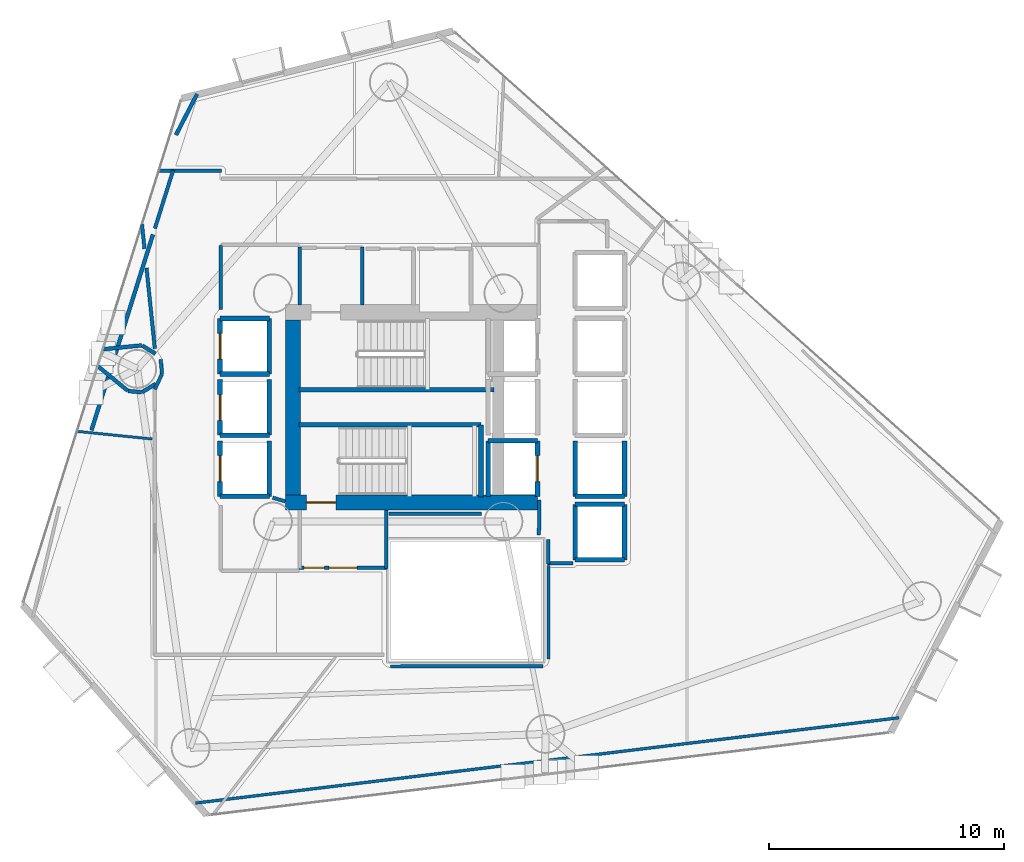
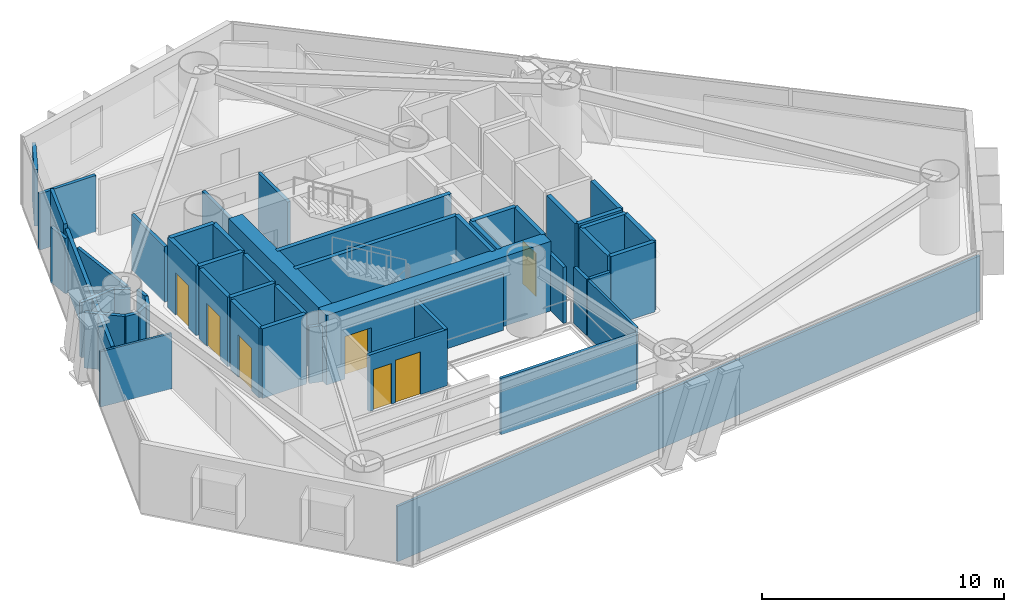
# One storey, part 18 of 24: 52 walls, 7 doors, 7 openings.
"""IFC4 building model written with IfcOpenShell, lengths in metres."""

from ifc_helpers import new_model, si_unit, direction, frame, frame_2d, origin, place, context, subcontext, project, spatial, rectangle, extrude, material, layer, layer_set, type_object, element, fill, save


model = new_model("IFC4")

# Units and contexts
model_context = context("Model", 3, precision=1e-05, world=origin(), true_north=direction((0.0, 1.0)))
body_context = subcontext(model_context, "Body", "Model", "MODEL_VIEW")
ifc_project = project(units=[si_unit("LENGTHUNIT", "METRE"), si_unit("AREAUNIT", "SQUARE_METRE"), si_unit("VOLUMEUNIT", "CUBIC_METRE"), si_unit("PLANEANGLEUNIT", "RADIAN"), si_unit("MASSUNIT", "GRAM", prefix="KILO")], contexts=[model_context])

# Site, building, storey
site_placement = place(None, origin())
site = spatial("IfcSite", under=ifc_project, at=site_placement, CompositionType="ELEMENT")
building_placement = place(site_placement, origin())
building = spatial("IfcBuilding", under=site, at=building_placement, Name="Qianvela Tower", CompositionType="ELEMENT")
storey_placement = place(building_placement, frame((0.0, 0.0, 71.0)))
storey = spatial("IfcBuildingStorey", under=building, at=storey_placement, Name="L17", CompositionType="ELEMENT", Elevation=71.0)

# Wall, opening, door
ifc_material_1 = material(Name="Concrete C60", Category="concrete")
ifc_layer_1 = layer(ifc_material_1, 0.64990234375)
ifc_layer_set_1 = layer_set([ifc_layer_1], Name="Concrete C60")
wall_type_1 = type_object("IfcWallType", Name="WT-CORE-650", PredefinedType="SHEAR", material=ifc_layer_set_1)
wall_1_placement = place(storey_placement, frame((29.1298828125, 24.655029296875, 0.0), z_axis=(0.0, 0.0, 1.0), x_axis=(1.0, 0.0, 0.0)))
wall_1 = element("IfcWall", 1, at=wall_1_placement, inside=storey, type_object=wall_type_1, Name="L17 South Core Shear Wall", PredefinedType="SHEAR", context=body_context, shape_type="SweptSolid", body=[
    extrude(rectangle(XDim=10.72021484375, YDim=0.64990234375, at=frame_2d((5.360107421875, 0.0))), origin(), (0.0, 0.0, 1.0), 3.52001953125),
])
opening_1_placement = place(wall_1_placement, frame((0.89501953125, 0.0, 0.0)))
opening_1 = element("IfcOpeningElement", 2, at=opening_1_placement, cuts=wall_1, Name="Opening D-ST1", PredefinedType="OPENING", context=body_context, shape_type="SweptSolid", body=[
    extrude(rectangle(XDim=1.25, YDim=2.14990234375, at=frame_2d((0.625, 1.074951171875))), frame((0.0, 0.3349609375, 0.0), z_axis=(0.0, -1.0, 0.0), x_axis=(1.0, 0.0, 0.0)), (0.0, 0.0, 1.0), 0.669921875),
])
ifc_material_2 = material(Name="Galvanised Fire Steel Q355B", Category="steel")
door_type_1 = type_object("IfcDoorType", Name="DT-STAIR-FD90", OperationType="NOTDEFINED", PredefinedType="DOOR", material=ifc_material_2)
door_1_placement = place(opening_1_placement, origin())
door_1 = element("IfcDoor", 3, at=door_1_placement, inside=storey, type_object=door_type_1, Name="L17 Stair ST-2 Exit Door", OperationType="SINGLE_SWING_LEFT", OverallHeight=2.14990234375, OverallWidth=1.25, PredefinedType="DOOR", context=body_context, shape_type="SweptSolid", body=[
    extrude(rectangle(XDim=1.25, YDim=2.14990234375, at=frame_2d((0.625, 1.074951171875))), frame((0.0, 0.02490234375, 0.0), z_axis=(0.0, -1.0, 0.0), x_axis=(1.0, 0.0, 0.0)), (0.0, 0.0, 1.0), 0.050048828125),
])
fill(opening_1, door_1)

# Walls
wall_2_placement = place(storey_placement, frame((29.455078125, 24.97998046875, 0.0), z_axis=(0.0, 0.0, 1.0), x_axis=(0.0, 1.0, 0.0)))
element("IfcWall", 4, at=wall_2_placement, inside=storey, type_object=wall_type_1, Name="L17 West Core Shear Wall", PredefinedType="SHEAR", context=body_context, shape_type="SweptSolid", body=[
    extrude(rectangle(XDim=7.43994140625, YDim=0.64990234375, at=frame_2d((3.719970703125, 0.0))), origin(), (0.0, 0.0, 1.0), 3.52001953125),
])
ifc_material_3 = material(Name="Fire-Rated Acoustic Gypsum Board")
ifc_layer_2 = layer(ifc_material_3, 0.14990234375)
ifc_layer_set_2 = layer_set([ifc_layer_2], Name="Fire-Rated Acoustic Gypsum Board")
wall_type_2 = type_object("IfcWallType", Name="WT-CORR-150", PredefinedType="PARTITIONING", material=ifc_layer_set_2)
for number, where, z_axis, x_axis, name in (
    (5, (29.73095703125, 33.05810546875, 0.0), (0.0, 0.0, 1.0), (0.0, 1.0, 0.0), "L17 Partition 2"),
    (6, (32.388916015625, 35.52001953125, 0.0), (0.0, 0.0, 1.0), (0.0, -1.0, 0.0), "L17 Partition 4"),
):
    element("IfcWall", number, at=place(storey_placement, frame(where, z_axis=z_axis, x_axis=x_axis)), inside=storey, type_object=wall_type_2, Name=name, PredefinedType="PARTITIONING", context=body_context, shape_type="SweptSolid", body=[
        extrude(rectangle(XDim=2.4619140625, YDim=0.14990234375, at=frame_2d((1.23095703125, 0.0))), origin(), (0.0, 0.0, 1.0), 2.840087890625),
    ])

# Wall, openings, doors
wall_3_placement = place(storey_placement, frame((33.449951171875, 21.881103515625, 0.0), z_axis=(0.0, 0.0, 1.0), x_axis=(-1.0, 0.0, 0.0)))
wall_3 = element("IfcWall", 7, at=wall_3_placement, inside=storey, type_object=wall_type_2, Name="L17 Partition 5", PredefinedType="PARTITIONING", context=body_context, shape_type="SweptSolid", body=[
    extrude(rectangle(XDim=3.75, YDim=0.14990234375, at=frame_2d((1.875, 0.0))), origin(), (0.0, 0.0, 1.0), 2.840087890625),
])
opening_2_placement = place(wall_3_placement, frame((1.27490234375, 0.0, 0.0)))
opening_2 = element("IfcOpeningElement", 8, at=opening_2_placement, cuts=wall_3, Name="Opening D-LB1", PredefinedType="OPENING", context=body_context, shape_type="SweptSolid", body=[
    extrude(rectangle(XDim=1.199951171875, YDim=2.14990234375, at=frame_2d((0.60009765625, 1.074951171875))), frame((0.0, 0.0849609375, 0.0), z_axis=(0.0, -1.0, 0.0), x_axis=(1.0, 0.0, 0.0)), (0.0, 0.0, 1.0), 0.169921875),
])
opening_3_placement = place(wall_3_placement, frame((2.659912109375, 0.0, 0.0)))
opening_3 = element("IfcOpeningElement", 9, at=opening_3_placement, cuts=wall_3, Name="Opening D-LB2", PredefinedType="OPENING", context=body_context, shape_type="SweptSolid", body=[
    extrude(rectangle(XDim=0.860107421875, YDim=2.050048828125, at=frame_2d((0.43017578125, 1.02490234375))), frame((0.0, 0.0849609375, 0.0), z_axis=(0.0, -1.0, 0.0), x_axis=(1.0, 0.0, 0.0)), (0.0, 0.0, 1.0), 0.169921875),
])
ifc_material_4 = material(Name="Glazed Fire-Rated Steel Frame", Category="steel")
door_type_2 = type_object("IfcDoorType", Name="DT-LOBBY-FD90", OperationType="NOTDEFINED", PredefinedType="DOOR", material=ifc_material_4)
door_2_placement = place(opening_2_placement, origin())
door_2 = element("IfcDoor", 10, at=door_2_placement, inside=storey, type_object=door_type_2, Name="L17 Door L17 Firefighting Lobby South to L17 Floor Corridor", OperationType="SINGLE_SWING_RIGHT", OverallHeight=2.14990234375, OverallWidth=1.199951171875, PredefinedType="DOOR", context=body_context, shape_type="SweptSolid", body=[
    extrude(rectangle(XDim=1.199951171875, YDim=2.14990234375, at=frame_2d((0.60009765625, 1.074951171875))), frame((0.0, 0.02490234375, 0.0), z_axis=(0.0, -1.0, 0.0), x_axis=(1.0, 0.0, 0.0)), (0.0, 0.0, 1.0), 0.050048828125),
])
fill(opening_2, door_2)
ifc_material_5 = material(Name="Insulated Steel Fire Door Q355B", Category="steel")
door_type_3 = type_object("IfcDoorType", Name="DT-LOBBY-FD90-860", OperationType="NOTDEFINED", PredefinedType="DOOR", material=ifc_material_5)
door_3_placement = place(opening_3_placement, origin())
door_3 = element("IfcDoor", 11, at=door_3_placement, inside=storey, type_object=door_type_3, Name="L17 Door L17 Firefighting Lobby South to L17 Floor Corridor", OperationType="SINGLE_SWING_RIGHT", OverallHeight=2.050048828125, OverallWidth=0.860107421875, PredefinedType="DOOR", context=body_context, shape_type="SweptSolid", body=[
    extrude(rectangle(XDim=0.860107421875, YDim=2.050048828125, at=frame_2d((0.43017578125, 1.02490234375))), frame((0.0, 0.02490234375, 0.0), z_axis=(0.0, -1.0, 0.0), x_axis=(1.0, 0.0, 0.0)), (0.0, 0.0, 1.0), 0.050048828125),
])
fill(opening_3, door_3)

# Walls
wall_4_placement = place(storey_placement, frame((33.4189453125, 24.342041015625, 0.0), z_axis=(0.0, 0.0, 1.0), x_axis=(0.0, -1.0, 0.0)))
element("IfcWall", 12, at=wall_4_placement, inside=storey, type_object=wall_type_2, Name="L17 Partition 8", PredefinedType="PARTITIONING", context=body_context, shape_type="SweptSolid", body=[
    extrude(rectangle(XDim=2.491943359375, YDim=0.14990234375, at=frame_2d((1.24609375, 0.0))), origin(), (0.0, 0.0, 1.0), 2.840087890625),
])
wall_5_placement = place(storey_placement, frame((41.360107421875, 22.0810546875, 0.0), z_axis=(0.0, 0.0, 1.0), x_axis=(-1.0, 0.0, 0.0)))
element("IfcWall", 13, at=wall_5_placement, inside=storey, type_object=wall_type_2, Name="L17 Partition 15", PredefinedType="PARTITIONING", context=body_context, shape_type="SweptSolid", body=[
    extrude(rectangle(XDim=1.080078125, YDim=0.14990234375, at=frame_2d((0.5400390625, 0.0))), origin(), (0.0, 0.0, 1.0), 2.840087890625),
])
wall_6_placement = place(storey_placement, frame((40.31103515625, 22.05029296875, 0.0), z_axis=(0.0, 0.0, 1.0), x_axis=(-0.011836292006, 0.999929948642, 0.0)))
element("IfcWall", 14, at=wall_6_placement, inside=storey, type_object=wall_type_2, Name="L17 Partition 16", PredefinedType="PARTITIONING", context=body_context, shape_type="SweptSolid", body=[
    extrude(rectangle(XDim=1.03125, YDim=0.14990234375, at=frame_2d((0.515625, 0.0))), origin(), (0.0, 0.0, 1.0), 2.840087890625),
])
wall_7_placement = place(storey_placement, frame((39.910888671875, 23.27978515625, 0.0), z_axis=(0.0, 0.0, 1.0), x_axis=(0.009397771291, 0.999955839972, 0.0)))
element("IfcWall", 15, at=wall_7_placement, inside=storey, type_object=wall_type_2, Name="L17 Partition 17", PredefinedType="PARTITIONING", context=body_context, shape_type="SweptSolid", body=[
    extrude(rectangle(XDim=1.480712890625, YDim=0.14990234375, at=frame_2d((0.740234375, 0.0))), origin(), (0.0, 0.0, 1.0), 2.840087890625),
])
wall_8_placement = place(storey_placement, frame((29.1298828125, 24.706298828125, 0.0), z_axis=(0.0, 0.0, 1.0), x_axis=(-0.960451214223, 0.278448316742, 0.0)))
element("IfcWall", 16, at=wall_8_placement, inside=storey, type_object=wall_type_2, Name="L17 Partition 31", PredefinedType="PARTITIONING", context=body_context, shape_type="SweptSolid", body=[
    extrude(rectangle(XDim=0.56201171875, YDim=0.14990234375, at=frame_2d((0.281005859375, 0.0))), origin(), (0.0, 0.0, 1.0), 2.840087890625),
])
wall_9_placement = place(storey_placement, frame((37.466552734375, 24.180908203125, 0.0), z_axis=(0.0, 0.0, 1.0), x_axis=(-1.0, 0.0, 0.0)))
element("IfcWall", 17, at=wall_9_placement, inside=storey, type_object=wall_type_2, Name="L17 Partition 38", PredefinedType="PARTITIONING", context=body_context, shape_type="SweptSolid", body=[
    extrude(rectangle(XDim=3.9365234375, YDim=0.14990234375, at=frame_2d((1.96826171875, 0.0))), origin(), (0.0, 0.0, 1.0), 2.840087890625),
])
wall_10_placement = place(storey_placement, frame((23.5810546875, 31.197265625, 0.0), z_axis=(0.0, 0.0, 1.0), x_axis=(-0.10311374901, 0.994669570644, 0.0)))
element("IfcWall", 18, at=wall_10_placement, inside=storey, type_object=wall_type_2, Name="L17 Partition 39", PredefinedType="PARTITIONING", context=body_context, shape_type="SweptSolid", body=[
    extrude(rectangle(XDim=3.454345703125, YDim=0.14990234375, at=frame_2d((1.72705078125, 0.0))), origin(), (0.0, 0.0, 1.0), 2.798095703125),
])
wall_11_placement = place(storey_placement, frame((23.57958984375, 36.3046875, 0.0), z_axis=(0.0, 0.0, 1.0), x_axis=(0.299709657819, 0.954030461259, 0.0)))
element("IfcWall", 19, at=wall_11_placement, inside=storey, type_object=wall_type_2, Name="L17 Partition 40", PredefinedType="PARTITIONING", context=body_context, shape_type="SweptSolid", body=[
    extrude(rectangle(XDim=2.60595703125, YDim=0.14990234375, at=frame_2d((1.302978515625, 0.0))), origin(), (0.0, 0.0, 1.0), 2.840087890625),
])
wall_12_placement = place(storey_placement, frame((23.72998046875, 38.76904296875, 0.0), z_axis=(0.0, 0.0, 1.0), x_axis=(1.0, 0.0, 0.0)))
element("IfcWall", 20, at=wall_12_placement, inside=storey, type_object=wall_type_2, Name="L17 Partition 41", PredefinedType="PARTITIONING", context=body_context, shape_type="SweptSolid", body=[
    extrude(rectangle(XDim=2.68994140625, YDim=0.14990234375, at=frame_2d((1.344970703125, 0.0))), origin(), (0.0, 0.0, 1.0), 2.840087890625),
])
wall_13_placement = place(storey_placement, frame((26.388916015625, 35.580078125, 0.0), z_axis=(0.0, 0.0, 1.0), x_axis=(0.0, -1.0, 0.0)))
element("IfcWall", 21, at=wall_13_placement, inside=storey, type_object=wall_type_2, Name="L17 Partition 46", PredefinedType="PARTITIONING", context=body_context, shape_type="SweptSolid", body=[
    extrude(rectangle(XDim=2.71044921875, YDim=0.14990234375, at=frame_2d((1.355224609375, 0.0))), origin(), (0.0, 0.0, 1.0), 2.798095703125),
])
wall_14_placement = place(storey_placement, frame((23.578125, 29.4697265625, 0.0), z_axis=(0.0, 0.0, 1.0), x_axis=(0.421827918194, 0.906675910914, 0.0)))
element("IfcWall", 22, at=wall_14_placement, inside=storey, type_object=wall_type_2, Name="L17 Partition 52", PredefinedType="PARTITIONING", context=body_context, shape_type="SweptSolid", body=[
    extrude(rectangle(XDim=0.720458984375, YDim=0.14990234375, at=frame_2d((0.3603515625, 0.0))), origin(), (0.0, 0.0, 1.0), 2.840087890625),
])
wall_15_placement = place(storey_placement, frame((23.884765625, 30.13916015625, 0.0), z_axis=(0.0, 0.0, 1.0), x_axis=(-0.0981888168, 0.995167803064, 0.0)))
element("IfcWall", 23, at=wall_15_placement, inside=storey, type_object=wall_type_2, Name="L17 Partition 53", PredefinedType="PARTITIONING", context=body_context, shape_type="SweptSolid", body=[
    extrude(rectangle(XDim=0.606689453125, YDim=0.14990234375, at=frame_2d((0.30322265625, 0.0))), origin(), (0.0, 0.0, 1.0), 2.840087890625),
])
wall_16_placement = place(storey_placement, frame((23.140380859375, 35.448486328125, 0.0), z_axis=(0.0, 0.0, 1.0), x_axis=(-0.103210553636, 0.994659530502, 0.0)))
element("IfcWall", 24, at=wall_16_placement, inside=storey, type_object=wall_type_2, Name="L17 Partition 39 trim 1", PredefinedType="PARTITIONING", context=body_context, shape_type="SweptSolid", body=[
    extrude(rectangle(XDim=1.043212890625, YDim=0.14990234375, at=frame_2d((0.521484375, 0.0))), origin(), (0.0, 0.0, 1.0), 2.798095703125),
])
ifc_material_6 = material(Name="Lightweight Gypsum Room Partition")
ifc_layer_3 = layer(ifc_material_6, 0.10498046875)
ifc_layer_set_3 = layer_set([ifc_layer_3], Name="Lightweight Gypsum Room Partition")
wall_type_3 = type_object("IfcWallType", Name="WT-PART-105", PredefinedType="PARTITIONING", material=ifc_layer_set_3)
wall_17_placement = place(storey_placement, frame((20.247802734375, 27.685791015625, 0.0), z_axis=(0.0, 0.0, 1.0), x_axis=(0.994844867068, -0.101408532525, 0.0)))
element("IfcWall", 25, at=wall_17_placement, inside=storey, type_object=wall_type_3, Name="L17 Partition 59", PredefinedType="PARTITIONING", context=body_context, shape_type="SweptSolid", body=[
    extrude(rectangle(XDim=3.235595703125, YDim=0.10498046875, at=frame_2d((1.61767578125, 0.0))), origin(), (0.0, 0.0, 1.0), 2.798095703125),
])
ifc_material_7 = material(Name="Insulated Gypsum Stud Partition")
ifc_layer_4 = layer(ifc_material_7, 0.1201171875)
ifc_layer_set_4 = layer_set([ifc_layer_4], Name="Insulated Gypsum Stud Partition")
wall_type_4 = type_object("IfcWallType", Name="WT-PART-120", PredefinedType="PARTITIONING", material=ifc_layer_set_4)
wall_18_placement = place(storey_placement, frame((40.31103515625, 18.0, 0.0), z_axis=(0.0, 0.0, 1.0), x_axis=(0.0, 1.0, 0.0)))
element("IfcWall", 26, at=wall_18_placement, inside=storey, type_object=wall_type_4, Name="L17 Partition 61 seg 1", PredefinedType="PARTITIONING", context=body_context, shape_type="SweptSolid", body=[
    extrude(rectangle(XDim=3.969970703125, YDim=0.1201171875, at=frame_2d((1.98486328125, 0.0))), origin(), (0.0, 0.0, 1.0), 2.840087890625),
])
wall_19_placement = place(storey_placement, frame((55.220947265625, 15.5048828125, 0.0), z_axis=(0.0, 0.0, 1.0), x_axis=(-0.992729059423, -0.120370322663, 0.0)))
element("IfcWall", 27, at=wall_19_placement, inside=storey, type_object=wall_type_4, Name="L17 Partition 73", PredefinedType="PARTITIONING", context=body_context, shape_type="SweptSolid", body=[
    extrude(rectangle(XDim=30.133544921875, YDim=0.1201171875, at=frame_2d((15.06689453125, 0.0))), origin(), (0.0, 0.0, 1.0), 2.798095703125),
])
ifc_material_8 = material(Name="Sanitary Service Chase Partition")
ifc_layer_5 = layer(ifc_material_8, 0.1650390625)
ifc_layer_set_5 = layer_set([ifc_layer_5], Name="Sanitary Service Chase Partition")
wall_type_5 = type_object("IfcWallType", Name="WT-PLUMB-165", PredefinedType="PLUMBINGWALL", material=ifc_layer_set_5)
wall_20_placement = place(storey_placement, frame((24.478271484375, 40.2861328125, 0.0), z_axis=(0.0, 0.0, 1.0), x_axis=(0.458788915336, 0.888545289316, 0.0)))
element("IfcWall", 28, at=wall_20_placement, inside=storey, type_object=wall_type_5, Name="L17 Partition 85 seg 1", PredefinedType="PLUMBINGWALL", context=body_context, shape_type="SweptSolid", body=[
    extrude(rectangle(XDim=1.959228515625, YDim=0.1650390625, at=frame_2d((0.9794921875, 0.0))), origin(), (0.0, 0.0, 1.0), 2.840087890625),
])
wall_21_placement = place(storey_placement, frame((20.885986328125, 27.72998046875, 0.0), z_axis=(0.0, 0.0, 1.0), x_axis=(0.299685371056, 0.954038090631, 0.0)))
element("IfcWall", 29, at=wall_21_placement, inside=storey, type_object=wall_type_5, Name="L17 Partition 91", PredefinedType="PLUMBINGWALL", context=body_context, shape_type="SweptSolid", body=[
    extrude(rectangle(XDim=8.720947265625, YDim=0.1650390625, at=frame_2d((4.3603515625, 0.0))), origin(), (0.0, 0.0, 1.0), 2.798095703125),
])
wall_22_placement = place(storey_placement, frame((23.6083984375, 30.981689453125, 0.0), z_axis=(0.0, 0.0, 1.0), x_axis=(-0.852045812822, 0.523467222328, 0.0)))
element("IfcWall", 30, at=wall_22_placement, inside=storey, type_object=wall_type_5, Name="L17 Partition 93", PredefinedType="PLUMBINGWALL", context=body_context, shape_type="SweptSolid", body=[
    extrude(rectangle(XDim=0.670166015625, YDim=0.1650390625, at=frame_2d((0.3349609375, 0.0))), origin(), (0.0, 0.0, 1.0), 2.798095703125),
])
wall_23_placement = place(storey_placement, frame((23.01806640625, 31.3369140625, 0.0), z_axis=(0.0, 0.0, 1.0), x_axis=(-0.995188365783, -0.097980184788, 0.0)))
element("IfcWall", 31, at=wall_23_placement, inside=storey, type_object=wall_type_5, Name="L17 Partition 94", PredefinedType="PLUMBINGWALL", context=body_context, shape_type="SweptSolid", body=[
    extrude(rectangle(XDim=1.681884765625, YDim=0.1650390625, at=frame_2d((0.8408203125, 0.0))), origin(), (0.0, 0.0, 1.0), 2.798095703125),
])
wall_24_placement = place(storey_placement, frame((21.1259765625, 30.47802734375, 0.0), z_axis=(0.0, 0.0, 1.0), x_axis=(0.773042489408, -0.63435424612, 0.0)))
element("IfcWall", 32, at=wall_24_placement, inside=storey, type_object=wall_type_5, Name="L17 Partition 98", PredefinedType="PLUMBINGWALL", context=body_context, shape_type="SweptSolid", body=[
    extrude(rectangle(XDim=1.68994140625, YDim=0.1650390625, at=frame_2d((0.844970703125, 0.0))), origin(), (0.0, 0.0, 1.0), 2.798095703125),
])
wall_25_placement = place(storey_placement, frame((22.448974609375, 29.399169921875, 0.0), z_axis=(0.0, 0.0, 1.0), x_axis=(0.995167364461, -0.098193262045, 0.0)))
element("IfcWall", 33, at=wall_25_placement, inside=storey, type_object=wall_type_5, Name="L17 Partition 99", PredefinedType="PLUMBINGWALL", context=body_context, shape_type="SweptSolid", body=[
    extrude(rectangle(XDim=0.57177734375, YDim=0.1650390625, at=frame_2d((0.285888671875, 0.0))), origin(), (0.0, 0.0, 1.0), 2.798095703125),
])
wall_26_placement = place(storey_placement, frame((23.037353515625, 29.347412109375, 0.0), z_axis=(0.0, 0.0, 1.0), x_axis=(0.852045812822, 0.523467222328, 0.0)))
element("IfcWall", 34, at=wall_26_placement, inside=storey, type_object=wall_type_5, Name="L17 Partition 100", PredefinedType="PLUMBINGWALL", context=body_context, shape_type="SweptSolid", body=[
    extrude(rectangle(XDim=0.670166015625, YDim=0.1650390625, at=frame_2d((0.3349609375, 0.0))), origin(), (0.0, 0.0, 1.0), 2.798095703125),
])
ifc_material_9 = material(Name="Acoustic Double Gypsum Stud Partition")
ifc_layer_6 = layer(ifc_material_9, 0.139892578125)
ifc_layer_set_6 = layer_set([ifc_layer_6], Name="Acoustic Double Gypsum Stud Partition")
wall_type_6 = type_object("IfcWallType", Name="WT-ROOM-140", PredefinedType="PARTITIONING", material=ifc_layer_set_6)
wall_27_placement = place(storey_placement, frame((33.60009765625, 17.68896484375, 0.0), z_axis=(0.0, 0.0, 1.0), x_axis=(0.999998226309, 0.00188344865, 0.0)))
element("IfcWall", 35, at=wall_27_placement, inside=storey, type_object=wall_type_6, Name="L17 Partition 60", PredefinedType="PARTITIONING", context=body_context, shape_type="SweptSolid", body=[
    extrude(rectangle(XDim=6.481201171875, YDim=0.139892578125, at=frame_2d((3.24072265625, 0.0))), origin(), (0.0, 0.0, 1.0), 2.840087890625),
])
ifc_material_10 = material(Name="Concrete C50", Category="concrete")
ifc_layer_7 = layer(ifc_material_10, 0.199951171875)
ifc_layer_set_7 = layer_set([ifc_layer_7], Name="Concrete C50")
wall_type_7 = type_object("IfcWallType", Name="WT-SHAFT-200", PredefinedType="SOLIDWALL", material=ifc_layer_set_7)
wall_28_placement = place(storey_placement, frame((29.699951171875, 29.449951171875, 0.0), z_axis=(0.0, 0.0, 1.0), x_axis=(1.0, 0.0, 0.0)))
element("IfcWall", 36, at=wall_28_placement, inside=storey, type_object=wall_type_7, Name="L17 Stair ST-1 South Wall", PredefinedType="SOLIDWALL", context=body_context, shape_type="SweptSolid", body=[
    extrude(rectangle(XDim=8.300048828125, YDim=0.199951171875, at=frame_2d((4.14990234375, 0.0))), origin(), (0.0, 0.0, 1.0), 3.52001953125),
])
wall_29_placement = place(storey_placement, frame((29.699951171875, 27.9599609375, 0.0), z_axis=(0.0, 0.0, 1.0), x_axis=(1.0, 0.0, 0.0)))
element("IfcWall", 37, at=wall_29_placement, inside=storey, type_object=wall_type_7, Name="L17 Stair ST-2 North Wall", PredefinedType="SOLIDWALL", context=body_context, shape_type="SweptSolid", body=[
    extrude(rectangle(XDim=7.75, YDim=0.199951171875, at=frame_2d((3.875, 0.0))), origin(), (0.0, 0.0, 1.0), 3.52001953125),
])
wall_30_placement = place(storey_placement, frame((37.449951171875, 24.89990234375, 0.0), z_axis=(0.0, 0.0, 1.0), x_axis=(0.0, 1.0, 0.0)))
element("IfcWall", 38, at=wall_30_placement, inside=storey, type_object=wall_type_7, Name="L17 Stair ST-2 East Wall", PredefinedType="SOLIDWALL", context=body_context, shape_type="SweptSolid", body=[
    extrude(rectangle(XDim=3.06005859375, YDim=0.199951171875, at=frame_2d((1.530029296875, 0.0))), origin(), (0.0, 0.0, 1.0), 3.52001953125),
])

# Wall, opening, door
wall_31_placement = place(storey_placement, frame((39.85009765625, 24.919921875, 0.0), z_axis=(0.0, 0.0, 1.0), x_axis=(0.0, 1.0, 0.0)))
wall_31 = element("IfcWall", 39, at=wall_31_placement, inside=storey, type_object=wall_type_7, Name="L17 Lift FL-2 E Shaft Wall", PredefinedType="SOLIDWALL", context=body_context, shape_type="SweptSolid", body=[
    extrude(rectangle(XDim=2.360107421875, YDim=0.199951171875, at=frame_2d((1.18017578125, 0.0))), origin(), (0.0, 0.0, 1.0), 3.52001953125),
])
opening_4_placement = place(wall_31_placement, frame((0.6298828125, 0.0, 0.0)))
opening_4 = element("IfcOpeningElement", 40, at=opening_4_placement, cuts=wall_31, Name="Opening LD-01", PredefinedType="OPENING", context=body_context, shape_type="SweptSolid", body=[
    extrude(rectangle(XDim=1.10009765625, YDim=2.14990234375, at=frame_2d((0.550048828125, 1.074951171875))), frame((0.0, 0.10986328125, 0.0), z_axis=(0.0, -1.0, 0.0), x_axis=(1.0, 0.0, 0.0)), (0.0, 0.0, 1.0), 0.219970703125),
])
ifc_material_11 = material(Name="Brushed Stainless Steel Lift Landing Door", Category="steel")
door_type_4 = type_object("IfcDoorType", Name="DT-LIFT-SLIDE-1100", OperationType="SLIDING_TO_LEFT", PredefinedType="DOOR", material=ifc_material_11)
door_4_placement = place(opening_4_placement, origin())
door_4 = element("IfcDoor", 41, at=door_4_placement, inside=storey, type_object=door_type_4, Name="L17 Lift FL-2 Sliding Landing Door", OperationType="SLIDING_TO_LEFT", OverallHeight=2.14990234375, OverallWidth=1.10009765625, PredefinedType="DOOR", context=body_context, shape_type="SweptSolid", body=[
    extrude(rectangle(XDim=1.10009765625, YDim=2.14990234375, at=frame_2d((0.550048828125, 1.074951171875))), frame((0.0, 0.02490234375, 0.0), z_axis=(0.0, -1.0, 0.0), x_axis=(1.0, 0.0, 0.0)), (0.0, 0.0, 1.0), 0.050048828125),
])
fill(opening_4, door_4)

# Walls
wall_32_placement = place(storey_placement, frame((37.75, 24.919921875, 0.0), z_axis=(0.0, 0.0, 1.0), x_axis=(0.0, 1.0, 0.0)))
element("IfcWall", 42, at=wall_32_placement, inside=storey, type_object=wall_type_7, Name="L17 Lift FL-2 W Shaft Wall", PredefinedType="SOLIDWALL", context=body_context, shape_type="SweptSolid", body=[
    extrude(rectangle(XDim=2.360107421875, YDim=0.199951171875, at=frame_2d((1.18017578125, 0.0))), origin(), (0.0, 0.0, 1.0), 3.52001953125),
])
wall_33_placement = place(storey_placement, frame((37.75, 27.280029296875, 0.0), z_axis=(0.0, 0.0, 1.0), x_axis=(1.0, 0.0, 0.0)))
element("IfcWall", 43, at=wall_33_placement, inside=storey, type_object=wall_type_7, Name="L17 Lift FL-2 N Shaft Wall", PredefinedType="SOLIDWALL", context=body_context, shape_type="SweptSolid", body=[
    extrude(rectangle(XDim=2.10009765625, YDim=0.199951171875, at=frame_2d((1.050048828125, 0.0))), origin(), (0.0, 0.0, 1.0), 3.52001953125),
])
wall_34_placement = place(storey_placement, frame((28.449951171875, 30.1201171875, 0.0), z_axis=(0.0, 0.0, 1.0), x_axis=(0.0, 1.0, 0.0)))
element("IfcWall", 44, at=wall_34_placement, inside=storey, type_object=wall_type_7, Name="L17 Lift PL-L1 E Shaft Wall", PredefinedType="SOLIDWALL", context=body_context, shape_type="SweptSolid", body=[
    extrude(rectangle(XDim=2.35986328125, YDim=0.199951171875, at=frame_2d((1.179931640625, 0.0))), origin(), (0.0, 0.0, 1.0), 3.52001953125),
])

# Wall, opening, door
wall_35_placement = place(storey_placement, frame((26.35009765625, 30.1201171875, 0.0), z_axis=(0.0, 0.0, 1.0), x_axis=(0.0, 1.0, 0.0)))
wall_35 = element("IfcWall", 45, at=wall_35_placement, inside=storey, type_object=wall_type_7, Name="L17 Lift PL-L1 W Shaft Wall", PredefinedType="SOLIDWALL", context=body_context, shape_type="SweptSolid", body=[
    extrude(rectangle(XDim=2.35986328125, YDim=0.199951171875, at=frame_2d((1.179931640625, 0.0))), origin(), (0.0, 0.0, 1.0), 3.52001953125),
])
opening_5_placement = place(wall_35_placement, frame((0.6298828125, 0.0, 0.0)))
opening_5 = element("IfcOpeningElement", 46, at=opening_5_placement, cuts=wall_35, Name="Opening LD-01", PredefinedType="OPENING", context=body_context, shape_type="SweptSolid", body=[
    extrude(rectangle(XDim=1.10009765625, YDim=2.14990234375, at=frame_2d((0.550048828125, 1.074951171875))), frame((0.0, 0.10986328125, 0.0), z_axis=(0.0, -1.0, 0.0), x_axis=(1.0, 0.0, 0.0)), (0.0, 0.0, 1.0), 0.219970703125),
])
door_5_placement = place(opening_5_placement, origin())
door_5 = element("IfcDoor", 47, at=door_5_placement, inside=storey, type_object=door_type_4, Name="L17 Lift PL-L1 Sliding Landing Door", OperationType="SLIDING_TO_LEFT", OverallHeight=2.14990234375, OverallWidth=1.10009765625, PredefinedType="DOOR", context=body_context, shape_type="SweptSolid", body=[
    extrude(rectangle(XDim=1.10009765625, YDim=2.14990234375, at=frame_2d((0.550048828125, 1.074951171875))), frame((0.0, 0.02490234375, 0.0), z_axis=(0.0, -1.0, 0.0), x_axis=(1.0, 0.0, 0.0)), (0.0, 0.0, 1.0), 0.050048828125),
])
fill(opening_5, door_5)

# Walls
for number, where, z_axis, x_axis, name in (
    (48, (26.35009765625, 32.47998046875, 0.0), (0.0, 0.0, 1.0), (1.0, 0.0, 0.0), "L17 Lift PL-L1 N Shaft Wall"),
    (49, (26.35009765625, 30.1201171875, 0.0), (0.0, 0.0, 1.0), (1.0, 0.0, 0.0), "L17 Lift PL-L1 S Shaft Wall"),
):
    element("IfcWall", number, at=place(storey_placement, frame(where, z_axis=z_axis, x_axis=x_axis)), inside=storey, type_object=wall_type_7, Name=name, PredefinedType="SOLIDWALL", context=body_context, shape_type="SweptSolid", body=[
        extrude(rectangle(XDim=2.099853515625, YDim=0.199951171875, at=frame_2d((1.0498046875, 0.0))), origin(), (0.0, 0.0, 1.0), 3.52001953125),
    ])
wall_36_placement = place(storey_placement, frame((28.449951171875, 27.52001953125, 0.0), z_axis=(0.0, 0.0, 1.0), x_axis=(0.0, 1.0, 0.0)))
element("IfcWall", 50, at=wall_36_placement, inside=storey, type_object=wall_type_7, Name="L17 Lift PL-L2 E Shaft Wall", PredefinedType="SOLIDWALL", context=body_context, shape_type="SweptSolid", body=[
    extrude(rectangle(XDim=2.35986328125, YDim=0.199951171875, at=frame_2d((1.179931640625, 0.0))), origin(), (0.0, 0.0, 1.0), 3.52001953125),
])

# Wall, opening, door
wall_37_placement = place(storey_placement, frame((26.35009765625, 27.52001953125, 0.0), z_axis=(0.0, 0.0, 1.0), x_axis=(0.0, 1.0, 0.0)))
wall_37 = element("IfcWall", 51, at=wall_37_placement, inside=storey, type_object=wall_type_7, Name="L17 Lift PL-L2 W Shaft Wall", PredefinedType="SOLIDWALL", context=body_context, shape_type="SweptSolid", body=[
    extrude(rectangle(XDim=2.35986328125, YDim=0.199951171875, at=frame_2d((1.179931640625, 0.0))), origin(), (0.0, 0.0, 1.0), 3.52001953125),
])
opening_6_placement = place(wall_37_placement, frame((0.6298828125, 0.0, 0.0)))
opening_6 = element("IfcOpeningElement", 52, at=opening_6_placement, cuts=wall_37, Name="Opening LD-01", PredefinedType="OPENING", context=body_context, shape_type="SweptSolid", body=[
    extrude(rectangle(XDim=1.10009765625, YDim=2.14990234375, at=frame_2d((0.550048828125, 1.074951171875))), frame((0.0, 0.10986328125, 0.0), z_axis=(0.0, -1.0, 0.0), x_axis=(1.0, 0.0, 0.0)), (0.0, 0.0, 1.0), 0.219970703125),
])
door_6_placement = place(opening_6_placement, origin())
door_6 = element("IfcDoor", 53, at=door_6_placement, inside=storey, type_object=door_type_4, Name="L17 Lift PL-L2 Sliding Landing Door", OperationType="SLIDING_TO_LEFT", OverallHeight=2.14990234375, OverallWidth=1.10009765625, PredefinedType="DOOR", context=body_context, shape_type="SweptSolid", body=[
    extrude(rectangle(XDim=1.10009765625, YDim=2.14990234375, at=frame_2d((0.550048828125, 1.074951171875))), frame((0.0, 0.02490234375, 0.0), z_axis=(0.0, -1.0, 0.0), x_axis=(1.0, 0.0, 0.0)), (0.0, 0.0, 1.0), 0.050048828125),
])
fill(opening_6, door_6)

# Walls
wall_38_placement = place(storey_placement, frame((26.35009765625, 27.52001953125, 0.0), z_axis=(0.0, 0.0, 1.0), x_axis=(1.0, 0.0, 0.0)))
element("IfcWall", 54, at=wall_38_placement, inside=storey, type_object=wall_type_7, Name="L17 Lift PL-L2 S Shaft Wall", PredefinedType="SOLIDWALL", context=body_context, shape_type="SweptSolid", body=[
    extrude(rectangle(XDim=2.099853515625, YDim=0.199951171875, at=frame_2d((1.0498046875, 0.0))), origin(), (0.0, 0.0, 1.0), 3.52001953125),
])
wall_39_placement = place(storey_placement, frame((28.449951171875, 24.919921875, 0.0), z_axis=(0.0, 0.0, 1.0), x_axis=(0.0, 1.0, 0.0)))
element("IfcWall", 55, at=wall_39_placement, inside=storey, type_object=wall_type_7, Name="L17 Lift PL-L3 E Shaft Wall", PredefinedType="SOLIDWALL", context=body_context, shape_type="SweptSolid", body=[
    extrude(rectangle(XDim=2.360107421875, YDim=0.199951171875, at=frame_2d((1.18017578125, 0.0))), origin(), (0.0, 0.0, 1.0), 3.52001953125),
])

# Wall, opening, door
wall_40_placement = place(storey_placement, frame((26.35009765625, 24.919921875, 0.0), z_axis=(0.0, 0.0, 1.0), x_axis=(0.0, 1.0, 0.0)))
wall_40 = element("IfcWall", 56, at=wall_40_placement, inside=storey, type_object=wall_type_7, Name="L17 Lift PL-L3 W Shaft Wall", PredefinedType="SOLIDWALL", context=body_context, shape_type="SweptSolid", body=[
    extrude(rectangle(XDim=2.360107421875, YDim=0.199951171875, at=frame_2d((1.18017578125, 0.0))), origin(), (0.0, 0.0, 1.0), 3.52001953125),
])
opening_7_placement = place(wall_40_placement, frame((0.6298828125, 0.0, 0.0)))
opening_7 = element("IfcOpeningElement", 57, at=opening_7_placement, cuts=wall_40, Name="Opening LD-01", PredefinedType="OPENING", context=body_context, shape_type="SweptSolid", body=[
    extrude(rectangle(XDim=1.10009765625, YDim=2.14990234375, at=frame_2d((0.550048828125, 1.074951171875))), frame((0.0, 0.10986328125, 0.0), z_axis=(0.0, -1.0, 0.0), x_axis=(1.0, 0.0, 0.0)), (0.0, 0.0, 1.0), 0.219970703125),
])
door_7_placement = place(opening_7_placement, origin())
door_7 = element("IfcDoor", 58, at=door_7_placement, inside=storey, type_object=door_type_4, Name="L17 Lift PL-L3 Sliding Landing Door", OperationType="SLIDING_TO_LEFT", OverallHeight=2.14990234375, OverallWidth=1.10009765625, PredefinedType="DOOR", context=body_context, shape_type="SweptSolid", body=[
    extrude(rectangle(XDim=1.10009765625, YDim=2.14990234375, at=frame_2d((0.550048828125, 1.074951171875))), frame((0.0, 0.02490234375, 0.0), z_axis=(0.0, -1.0, 0.0), x_axis=(1.0, 0.0, 0.0)), (0.0, 0.0, 1.0), 0.050048828125),
])
fill(opening_7, door_7)

# Walls
wall_41_placement = place(storey_placement, frame((26.35009765625, 24.919921875, 0.0), z_axis=(0.0, 0.0, 1.0), x_axis=(1.0, 0.0, 0.0)))
element("IfcWall", 59, at=wall_41_placement, inside=storey, type_object=wall_type_7, Name="L17 Lift PL-L3 S Shaft Wall", PredefinedType="SOLIDWALL", context=body_context, shape_type="SweptSolid", body=[
    extrude(rectangle(XDim=2.099853515625, YDim=0.199951171875, at=frame_2d((1.0498046875, 0.0))), origin(), (0.0, 0.0, 1.0), 3.52001953125),
])
for number, where, z_axis, x_axis, name in (
    (60, (43.550048828125, 24.919921875, 0.0), (0.0, 0.0, 1.0), (0.0, 1.0, 0.0), "L17 Lift PL-M3 E Shaft Wall"),
    (61, (41.449951171875, 24.919921875, 0.0), (0.0, 0.0, 1.0), (0.0, 1.0, 0.0), "L17 Lift PL-M3 W Shaft Wall"),
):
    element("IfcWall", number, at=place(storey_placement, frame(where, z_axis=z_axis, x_axis=x_axis)), inside=storey, type_object=wall_type_7, Name=name, PredefinedType="SOLIDWALL", context=body_context, shape_type="SweptSolid", body=[
        extrude(rectangle(XDim=2.360107421875, YDim=0.199951171875, at=frame_2d((1.18017578125, 0.0))), origin(), (0.0, 0.0, 1.0), 3.52001953125),
    ])
wall_42_placement = place(storey_placement, frame((41.449951171875, 24.919921875, 0.0), z_axis=(0.0, 0.0, 1.0), x_axis=(1.0, 0.0, 0.0)))
element("IfcWall", 62, at=wall_42_placement, inside=storey, type_object=wall_type_7, Name="L17 Lift PL-M3 S Shaft Wall", PredefinedType="SOLIDWALL", context=body_context, shape_type="SweptSolid", body=[
    extrude(rectangle(XDim=2.10009765625, YDim=0.199951171875, at=frame_2d((1.050048828125, 0.0))), origin(), (0.0, 0.0, 1.0), 3.52001953125),
])
for number, where, z_axis, x_axis, name in (
    (63, (43.550048828125, 22.219970703125, 0.0), (0.0, 0.0, 1.0), (0.0, 1.0, 0.0), "L17 Lift PL-H2 E Shaft Wall"),
    (64, (41.449951171875, 22.219970703125, 0.0), (0.0, 0.0, 1.0), (0.0, 1.0, 0.0), "L17 Lift PL-H2 W Shaft Wall"),
):
    element("IfcWall", number, at=place(storey_placement, frame(where, z_axis=z_axis, x_axis=x_axis)), inside=storey, type_object=wall_type_7, Name=name, PredefinedType="SOLIDWALL", context=body_context, shape_type="SweptSolid", body=[
        extrude(rectangle(XDim=2.360107421875, YDim=0.199951171875, at=frame_2d((1.18017578125, 0.0))), origin(), (0.0, 0.0, 1.0), 3.52001953125),
    ])
for number, where, z_axis, x_axis, name in (
    (65, (41.449951171875, 24.580078125, 0.0), (0.0, 0.0, 1.0), (1.0, 0.0, 0.0), "L17 Lift PL-H2 N Shaft Wall"),
    (66, (41.449951171875, 22.219970703125, 0.0), (0.0, 0.0, 1.0), (1.0, 0.0, 0.0), "L17 Lift PL-H2 S Shaft Wall"),
):
    element("IfcWall", number, at=place(storey_placement, frame(where, z_axis=z_axis, x_axis=x_axis)), inside=storey, type_object=wall_type_7, Name=name, PredefinedType="SOLIDWALL", context=body_context, shape_type="SweptSolid", body=[
        extrude(rectangle(XDim=2.10009765625, YDim=0.199951171875, at=frame_2d((1.050048828125, 0.0))), origin(), (0.0, 0.0, 1.0), 3.52001953125),
    ])

save(model, "model.ifc")
